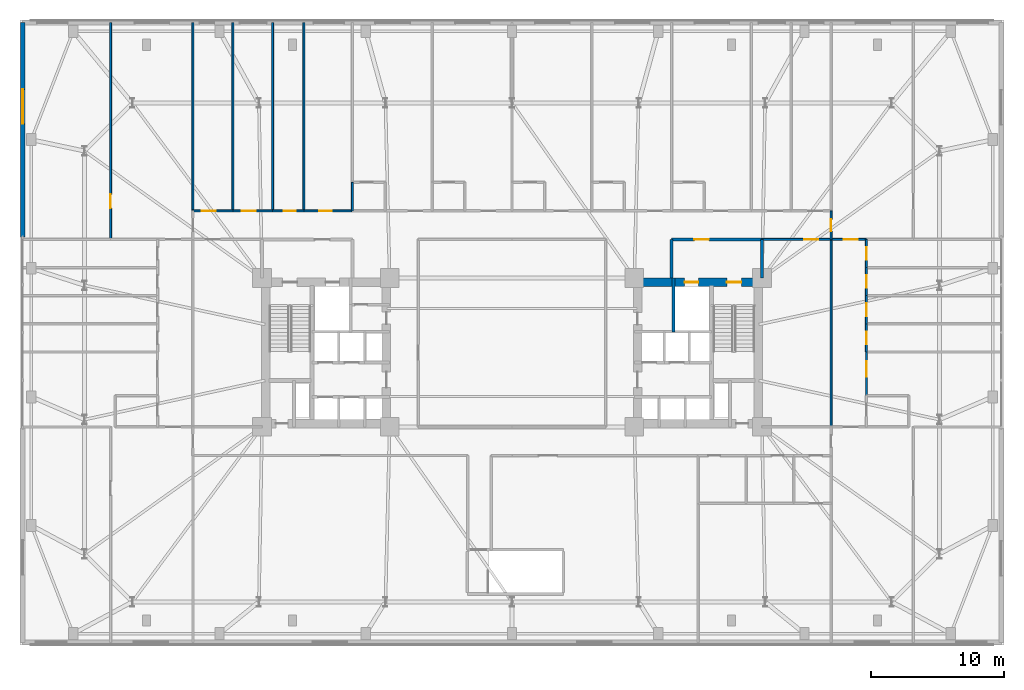
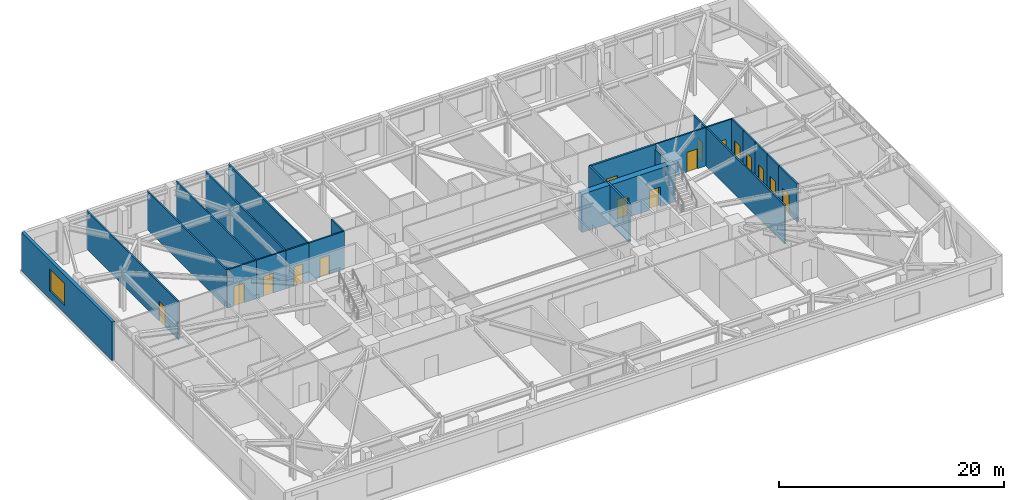
# One storey, part 14 of 21: 25 walls, 16 doors, 1 window, 17 openings.
"""IFC4 building model written with IfcOpenShell, lengths in metres."""

from ifc_helpers import new_model, si_unit, direction, frame, frame_2d, origin, place, context, subcontext, project, spatial, rectangle, extrude, material, layer, layer_set, type_object, element, fill, save


model = new_model("IFC4")

# Units and contexts
model_context = context("Model", 3, precision=1e-05, world=origin(), true_north=direction((0.0, 1.0)))
body_context = subcontext(model_context, "Body", "Model", "MODEL_VIEW")
ifc_project = project(units=[si_unit("LENGTHUNIT", "METRE"), si_unit("AREAUNIT", "SQUARE_METRE"), si_unit("VOLUMEUNIT", "CUBIC_METRE"), si_unit("PLANEANGLEUNIT", "RADIAN"), si_unit("MASSUNIT", "GRAM", prefix="KILO")], contexts=[model_context])

# Site, building, storey
site_placement = place(None, origin())
site = spatial("IfcSite", under=ifc_project, at=site_placement, CompositionType="ELEMENT")
building_placement = place(site_placement, origin())
building = spatial("IfcBuilding", under=site, at=building_placement, Name="Qobustan Lattice House", CompositionType="ELEMENT")
storey_placement = place(building_placement, frame((0.0, 0.0, 22.5)))
storey = spatial("IfcBuildingStorey", under=building, at=storey_placement, Name="L05", CompositionType="ELEMENT", Elevation=22.5)

# Wall, openings, doors
ifc_material_1 = material(Name="Concrete C60/75", Category="concrete")
ifc_layer_1 = layer(ifc_material_1, 0.639892578125)
ifc_layer_set_1 = layer_set([ifc_layer_1], Name="Concrete C60/75")
wall_type_1 = type_object("IfcWallType", Name="WAL-CORE-640", PredefinedType="SHEAR", material=ifc_layer_set_1)
wall_1_placement = place(storey_placement, frame((9.199951171875, 5.280029296875, 0.0), z_axis=(0.0, 0.0, 1.0), x_axis=(1.0, 0.0, 0.0)))
wall_1 = element("IfcWall", 1, at=wall_1_placement, inside=storey, type_object=wall_type_1, Name="L05 split-core shear wall CE-N", PredefinedType="SHEAR", context=body_context, shape_type="SweptSolid", body=[
    extrude(rectangle(XDim=9.60009765625, YDim=0.639892578125, at=frame_2d((4.800048828125, 0.0))), origin(), (0.0, 0.0, 1.0), 4.159912109375),
])
opening_1_placement = place(wall_1_placement, frame((6.949951171875, 0.0, 0.0)))
opening_1 = element("IfcOpeningElement", 2, at=opening_1_placement, cuts=wall_1, Name="Opening SD-01", PredefinedType="OPENING", context=body_context, shape_type="SweptSolid", body=[
    extrude(rectangle(XDim=1.10009765625, YDim=2.14990234375, at=frame_2d((0.550048828125, 1.074951171875))), frame((0.0, 0.329833984375, 0.0), z_axis=(0.0, -1.0, 0.0), x_axis=(1.0, 0.0, 0.0)), (0.0, 0.0, 1.0), 0.659912109375),
])
opening_2_placement = place(wall_1_placement, frame((3.77490234375, 0.0, 0.0)))
opening_2 = element("IfcOpeningElement", 3, at=opening_2_placement, cuts=wall_1, Name="Opening LD-01", PredefinedType="OPENING", context=body_context, shape_type="SweptSolid", body=[
    extrude(rectangle(XDim=1.050048828125, YDim=2.10009765625, at=frame_2d((0.52490234375, 1.050048828125))), frame((0.0, 0.329833984375, 0.0), z_axis=(0.0, -1.0, 0.0), x_axis=(1.0, 0.0, 0.0)), (0.0, 0.0, 1.0), 0.659912109375),
])
ifc_material_2 = material(Name="Persian walnut timber and steel frame door", Category="steel")
door_type_1 = type_object("IfcDoorType", Name="DOR-LIFT-LD-1050x2100", OperationType="NOTDEFINED", PredefinedType="DOOR", material=ifc_material_2)
door_1_placement = place(opening_2_placement, origin())
door_1 = element("IfcDoor", 4, at=door_1_placement, inside=storey, type_object=door_type_1, Name="L05 firefighting lift FF-E landing door", OperationType="DOUBLE_DOOR_SLIDING", OverallHeight=2.10009765625, OverallWidth=1.050048828125, PredefinedType="DOOR", context=body_context, shape_type="SweptSolid", body=[
    extrude(rectangle(XDim=1.050048828125, YDim=2.10009765625, at=frame_2d((0.52490234375, 1.050048828125))), frame((0.0, 0.02490234375, 0.0), z_axis=(0.0, -1.0, 0.0), x_axis=(1.0, 0.0, 0.0)), (0.0, 0.0, 1.0), 0.050048828125),
])
fill(opening_2, door_1)
ifc_material_3 = material(Name="Persian walnut timber and steel frame door", Category="steel")
door_type_2 = type_object("IfcDoorType", Name="DOR-STAIR-FD-1100x2150", OperationType="NOTDEFINED", PredefinedType="DOOR", material=ifc_material_3)
door_2_placement = place(opening_1_placement, origin())
door_2 = element("IfcDoor", 5, at=door_2_placement, inside=storey, type_object=door_type_2, Name="L05 exit stair ST-E1 fire door", OperationType="SINGLE_SWING_RIGHT", OverallHeight=2.14990234375, OverallWidth=1.10009765625, PredefinedType="DOOR", context=body_context, shape_type="SweptSolid", body=[
    extrude(rectangle(XDim=1.10009765625, YDim=2.14990234375, at=frame_2d((0.550048828125, 1.074951171875))), frame((0.0, 0.02490234375, 0.0), z_axis=(0.0, -1.0, 0.0), x_axis=(1.0, 0.0, 0.0)), (0.0, 0.0, 1.0), 0.050048828125),
])
fill(opening_1, door_2)

# Wall, opening, window
ifc_material_4 = material(Name="Precast concrete C40/50", Category="concrete")
ifc_layer_2 = layer(ifc_material_4, 0.320068359375)
ifc_layer_set_2 = layer_set([ifc_layer_2], Name="Precast concrete C40/50")
wall_type_2 = type_object("IfcWallType", Name="WAL-EXT-STONE-320", PredefinedType="SOLIDWALL", material=ifc_layer_set_2)
wall_2_placement = place(storey_placement, frame((-36.800048828125, 8.699951171875, 0.0), z_axis=(0.0, 0.0, 1.0), x_axis=(0.0, 1.0, 0.0)))
wall_2 = element("IfcWall", 6, at=wall_2_placement, inside=storey, type_object=wall_type_2, Name="L05 podium stone wall 1B", PredefinedType="SOLIDWALL", context=body_context, shape_type="SweptSolid", body=[
    extrude(rectangle(XDim=16.10009765625, YDim=0.320068359375, at=frame_2d((8.050048828125, 0.0))), origin(), (0.0, 0.0, 1.0), 4.159912109375),
])
opening_3_placement = place(wall_2_placement, frame((8.484619140625, 0.0, 0.85009765625)))
opening_3 = element("IfcOpeningElement", 7, at=opening_3_placement, cuts=wall_2, Name="Opening WN-06", PredefinedType="OPENING", context=body_context, shape_type="SweptSolid", body=[
    extrude(rectangle(XDim=2.60009765625, YDim=2.39990234375, at=frame_2d((1.300048828125, 1.199951171875))), frame((0.0, 0.169921875, 0.0), z_axis=(0.0, -1.0, 0.0), x_axis=(1.0, 0.0, 0.0)), (0.0, 0.0, 1.0), 0.340087890625),
])
ifc_material_5 = material(Name="Double-glazed low-E aluminium window", Category="aluminium")
window_type = type_object("IfcWindowType", Name="WIN-POD-2600x2400", PartitioningType="SINGLE_PANEL", PredefinedType="WINDOW", material=ifc_material_5)
window_placement = place(opening_3_placement, origin())
window = element("IfcWindow", 8, at=window_placement, inside=storey, type_object=window_type, Name="L05 Collaborative study room L05WN window", OverallHeight=2.39990234375, OverallWidth=2.60009765625, PartitioningType="SINGLE_PANEL", PredefinedType="WINDOW", context=body_context, shape_type="SweptSolid", body=[
    extrude(rectangle(XDim=2.60009765625, YDim=2.39990234375, at=frame_2d((1.300048828125, 1.199951171875))), frame((0.0, 0.030029296875, 0.0), z_axis=(0.0, -1.0, 0.0), x_axis=(1.0, 0.0, 0.0)), (0.0, 0.0, 1.0), 0.06005859375),
])
fill(opening_3, window)

# Wall, opening, door
ifc_material_6 = material(Name="Acoustic twin-stud gypsum partition", Category="gypsum")
ifc_layer_3 = layer(ifc_material_6, 0.14990234375)
ifc_layer_set_3 = layer_set([ifc_layer_3], Name="Acoustic twin-stud gypsum partition")
wall_type_3 = type_object("IfcWallType", Name="WAL-PART-150", PredefinedType="PARTITIONING", material=ifc_layer_set_3)
wall_3_placement = place(storey_placement, frame((-24.0, 10.64990234375, 0.0), z_axis=(0.0, 0.0, 1.0), x_axis=(1.0, 0.0, 0.0)))
wall_3 = element("IfcWall", 9, at=wall_3_placement, inside=storey, type_object=wall_type_3, Name="L05 interior partition 39", PredefinedType="PARTITIONING", context=body_context, shape_type="SweptSolid", body=[
    extrude(rectangle(XDim=3.0, YDim=0.14990234375, at=frame_2d((1.5, 0.0))), origin(), (0.0, 0.0, 1.0), 4.159912109375),
])
opening_4_placement = place(wall_3_placement, frame((0.6787109375, 0.0, 0.0)))
opening_4 = element("IfcOpeningElement", 10, at=opening_4_placement, cuts=wall_3, Name="Opening ID-02", PredefinedType="OPENING", context=body_context, shape_type="SweptSolid", body=[
    extrude(rectangle(XDim=1.050048828125, YDim=2.14990234375, at=frame_2d((0.52490234375, 1.074951171875))), frame((0.0, 0.0849609375, 0.0), z_axis=(0.0, -1.0, 0.0), x_axis=(1.0, 0.0, 0.0)), (0.0, 0.0, 1.0), 0.169921875),
])
ifc_material_7 = material(Name="Persian walnut timber and steel frame door", Category="steel")
door_type_3 = type_object("IfcDoorType", Name="DOR-STUDY-1050x2150", OperationType="NOTDEFINED", PredefinedType="DOOR", material=ifc_material_7)
door_3_placement = place(opening_4_placement, origin())
door_3 = element("IfcDoor", 11, at=door_3_placement, inside=storey, type_object=door_type_3, Name="L05 North-west podium corridor to Focus study room N1A door", OperationType="SINGLE_SWING_LEFT", OverallHeight=2.14990234375, OverallWidth=1.050048828125, PredefinedType="DOOR", context=body_context, shape_type="SweptSolid", body=[
    extrude(rectangle(XDim=1.050048828125, YDim=2.14990234375, at=frame_2d((0.52490234375, 1.074951171875))), frame((0.0, 0.02490234375, 0.0), z_axis=(0.0, -1.0, 0.0), x_axis=(1.0, 0.0, 0.0)), (0.0, 0.0, 1.0), 0.050048828125),
])
fill(opening_4, door_3)

wall_4_placement = place(storey_placement, frame((-21.0, 10.64990234375, 0.0), z_axis=(0.0, 0.0, 1.0), x_axis=(1.0, 0.0, 0.0)))
wall_4 = element("IfcWall", 12, at=wall_4_placement, inside=storey, type_object=wall_type_3, Name="L05 interior partition 40", PredefinedType="PARTITIONING", context=body_context, shape_type="SweptSolid", body=[
    extrude(rectangle(XDim=3.0, YDim=0.14990234375, at=frame_2d((1.5, 0.0))), origin(), (0.0, 0.0, 1.0), 4.159912109375),
])
opening_5_placement = place(wall_4_placement, frame((0.6787109375, 0.0, 0.0)))
opening_5 = element("IfcOpeningElement", 13, at=opening_5_placement, cuts=wall_4, Name="Opening ID-02", PredefinedType="OPENING", context=body_context, shape_type="SweptSolid", body=[
    extrude(rectangle(XDim=1.050048828125, YDim=2.14990234375, at=frame_2d((0.52490234375, 1.074951171875))), frame((0.0, 0.0849609375, 0.0), z_axis=(0.0, -1.0, 0.0), x_axis=(1.0, 0.0, 0.0)), (0.0, 0.0, 1.0), 0.169921875),
])
door_4_placement = place(opening_5_placement, origin())
door_4 = element("IfcDoor", 14, at=door_4_placement, inside=storey, type_object=door_type_3, Name="L05 North-west podium corridor to Focus study room N1B door", OperationType="SINGLE_SWING_RIGHT", OverallHeight=2.14990234375, OverallWidth=1.050048828125, PredefinedType="DOOR", context=body_context, shape_type="SweptSolid", body=[
    extrude(rectangle(XDim=1.050048828125, YDim=2.14990234375, at=frame_2d((0.52490234375, 1.074951171875))), frame((0.0, 0.02490234375, 0.0), z_axis=(0.0, -1.0, 0.0), x_axis=(1.0, 0.0, 0.0)), (0.0, 0.0, 1.0), 0.050048828125),
])
fill(opening_5, door_4)

wall_5_placement = place(storey_placement, frame((-15.64990234375, 10.64990234375, 0.0), z_axis=(0.0, 0.0, 1.0), x_axis=(1.0, 0.0, 0.0)))
wall_5 = element("IfcWall", 15, at=wall_5_placement, inside=storey, type_object=wall_type_3, Name="L05 interior partition 42", PredefinedType="PARTITIONING", context=body_context, shape_type="SweptSolid", body=[
    extrude(rectangle(XDim=3.64990234375, YDim=0.14990234375, at=frame_2d((1.824951171875, 0.0))), origin(), (0.0, 0.0, 1.0), 4.159912109375),
])
opening_6_placement = place(wall_5_placement, frame((1.157470703125, 0.0, 0.0)))
opening_6 = element("IfcOpeningElement", 16, at=opening_6_placement, cuts=wall_5, Name="Opening ID-01", PredefinedType="OPENING", context=body_context, shape_type="SweptSolid", body=[
    extrude(rectangle(XDim=0.949951171875, YDim=2.10009765625, at=frame_2d((0.47509765625, 1.050048828125))), frame((0.0, 0.0849609375, 0.0), z_axis=(0.0, -1.0, 0.0), x_axis=(1.0, 0.0, 0.0)), (0.0, 0.0, 1.0), 0.169921875),
])
ifc_material_8 = material(Name="Persian walnut timber and steel frame door", Category="steel")
door_type_4 = type_object("IfcDoorType", Name="DOR-ROOM-950x2100", OperationType="NOTDEFINED", PredefinedType="DOOR", material=ifc_material_8)
door_5_placement = place(opening_6_placement, origin())
door_5 = element("IfcDoor", 17, at=door_5_placement, inside=storey, type_object=door_type_4, Name="L05 North-west podium corridor to Laundry utility room door", OperationType="SINGLE_SWING_RIGHT", OverallHeight=2.10009765625, OverallWidth=0.949951171875, PredefinedType="DOOR", context=body_context, shape_type="SweptSolid", body=[
    extrude(rectangle(XDim=0.949951171875, YDim=2.10009765625, at=frame_2d((0.47509765625, 1.050048828125))), frame((0.0, 0.02490234375, 0.0), z_axis=(0.0, -1.0, 0.0), x_axis=(1.0, 0.0, 0.0)), (0.0, 0.0, 1.0), 0.050048828125),
])
fill(opening_6, door_5)

wall_6_placement = place(storey_placement, frame((24.0, 10.64990234375, 0.0), z_axis=(0.0, 0.0, 1.0), x_axis=(0.0, -1.0, 0.0)))
wall_6 = element("IfcWall", 18, at=wall_6_placement, inside=storey, type_object=wall_type_3, Name="L05 interior partition 48", PredefinedType="PARTITIONING", context=body_context, shape_type="SweptSolid", body=[
    extrude(rectangle(XDim=2.14990234375, YDim=0.14990234375, at=frame_2d((1.074951171875, 0.0))), origin(), (0.0, 0.0, 1.0), 4.159912109375),
])
opening_7_placement = place(wall_6_placement, frame((0.625, 0.0, 0.0)))
opening_7 = element("IfcOpeningElement", 19, at=opening_7_placement, cuts=wall_6, Name="Opening WD-01", PredefinedType="OPENING", context=body_context, shape_type="SweptSolid", body=[
    extrude(rectangle(XDim=0.89990234375, YDim=2.10009765625, at=frame_2d((0.449951171875, 1.050048828125))), frame((0.0, 0.0849609375, 0.0), z_axis=(0.0, -1.0, 0.0), x_axis=(1.0, 0.0, 0.0)), (0.0, 0.0, 1.0), 0.169921875),
])
ifc_material_9 = material(Name="Persian walnut timber and steel frame door", Category="steel")
door_type_5 = type_object("IfcDoorType", Name="DOR-WET-900x2100", OperationType="NOTDEFINED", PredefinedType="DOOR", material=ifc_material_9)
door_6_placement = place(opening_7_placement, origin())
door_6 = element("IfcDoor", 20, at=door_6_placement, inside=storey, type_object=door_type_5, Name="L05 North-east podium corridor to Reading seminar room L05EN door", OperationType="SINGLE_SWING_LEFT", OverallHeight=2.10009765625, OverallWidth=0.89990234375, PredefinedType="DOOR", context=body_context, shape_type="SweptSolid", body=[
    extrude(rectangle(XDim=0.89990234375, YDim=2.10009765625, at=frame_2d((0.449951171875, 1.050048828125))), frame((0.0, 0.02490234375, 0.0), z_axis=(0.0, -1.0, 0.0), x_axis=(1.0, 0.0, 0.0)), (0.0, 0.0, 1.0), 0.050048828125),
])
fill(opening_7, door_6)

wall_7_placement = place(storey_placement, frame((24.0, 8.5, 0.0), z_axis=(0.0, 0.0, 1.0), x_axis=(-1.0, 0.0, 0.0)))
wall_7 = element("IfcWall", 21, at=wall_7_placement, inside=storey, type_object=wall_type_3, Name="L05 interior partition 49", PredefinedType="PARTITIONING", context=body_context, shape_type="SweptSolid", body=[
    extrude(rectangle(XDim=5.199951171875, YDim=0.14990234375, at=frame_2d((2.60009765625, 0.0))), origin(), (0.0, 0.0, 1.0), 4.159912109375),
])
opening_8_placement = place(wall_7_placement, frame((0.95361328125, 0.0, 0.0)))
opening_8 = element("IfcOpeningElement", 22, at=opening_8_placement, cuts=wall_7, Name="Opening ID-02", PredefinedType="OPENING", context=body_context, shape_type="SweptSolid", body=[
    extrude(rectangle(XDim=1.050048828125, YDim=2.14990234375, at=frame_2d((0.52490234375, 1.074951171875))), frame((0.0, 0.0849609375, 0.0), z_axis=(0.0, -1.0, 0.0), x_axis=(1.0, 0.0, 0.0)), (0.0, 0.0, 1.0), 0.169921875),
])
door_7_placement = place(opening_8_placement, origin())
door_7 = element("IfcDoor", 23, at=door_7_placement, inside=storey, type_object=door_type_3, Name="L05 North-east podium corridor to East study lounge door", OperationType="SINGLE_SWING_RIGHT", OverallHeight=2.14990234375, OverallWidth=1.050048828125, PredefinedType="DOOR", context=body_context, shape_type="SweptSolid", body=[
    extrude(rectangle(XDim=1.050048828125, YDim=2.14990234375, at=frame_2d((0.52490234375, 1.074951171875))), frame((0.0, 0.02490234375, 0.0), z_axis=(0.0, -1.0, 0.0), x_axis=(1.0, 0.0, 0.0)), (0.0, 0.0, 1.0), 0.050048828125),
])
fill(opening_8, door_7)

wall_8_placement = place(storey_placement, frame((-30.18994140625, 8.5, 0.0), z_axis=(0.0, 0.0, 1.0), x_axis=(0.0, 1.0, 0.0)))
wall_8 = element("IfcWall", 24, at=wall_8_placement, inside=storey, type_object=wall_type_3, Name="L05 interior partition 84", PredefinedType="PARTITIONING", context=body_context, shape_type="SweptSolid", body=[
    extrude(rectangle(XDim=16.300048828125, YDim=0.14990234375, at=frame_2d((8.14990234375, 0.0))), origin(), (0.0, 0.0, 1.0), 4.159912109375),
])
opening_9_placement = place(wall_8_placement, frame((2.34130859375, 0.0, 0.0)))
opening_9 = element("IfcOpeningElement", 25, at=opening_9_placement, cuts=wall_8, Name="Opening ID-02", PredefinedType="OPENING", context=body_context, shape_type="SweptSolid", body=[
    extrude(rectangle(XDim=1.050048828125, YDim=2.14990234375, at=frame_2d((0.52490234375, 1.074951171875))), frame((0.0, 0.0849609375, 0.0), z_axis=(0.0, -1.0, 0.0), x_axis=(1.0, 0.0, 0.0)), (0.0, 0.0, 1.0), 0.169921875),
])
door_8_placement = place(opening_9_placement, origin())
door_8 = element("IfcDoor", 26, at=door_8_placement, inside=storey, type_object=door_type_3, Name="L05 Reading seminar room L05WN to Collaborative study room L05WN door", OperationType="SINGLE_SWING_RIGHT", OverallHeight=2.14990234375, OverallWidth=1.050048828125, PredefinedType="DOOR", context=body_context, shape_type="SweptSolid", body=[
    extrude(rectangle(XDim=1.050048828125, YDim=2.14990234375, at=frame_2d((0.52490234375, 1.074951171875))), frame((0.0, 0.02490234375, 0.0), z_axis=(0.0, -1.0, 0.0), x_axis=(1.0, 0.0, 0.0)), (0.0, 0.0, 1.0), 0.050048828125),
])
fill(opening_9, door_8)

# Wall
wall_9_placement = place(storey_placement, frame((-24.0, 24.800048828125, 0.0), z_axis=(0.0, 0.0, 1.0), x_axis=(0.0, -1.0, 0.0)))
element("IfcWall", 27, at=wall_9_placement, inside=storey, type_object=wall_type_3, Name="L05 interior partition 86", PredefinedType="PARTITIONING", context=body_context, shape_type="SweptSolid", body=[
    extrude(rectangle(XDim=14.150146484375, YDim=0.14990234375, at=frame_2d((7.0751953125, 0.0))), origin(), (0.0, 0.0, 1.0), 4.159912109375),
])

# Wall, opening, door
wall_10_placement = place(storey_placement, frame((24.0, 8.5, 0.0), z_axis=(0.0, 0.0, 1.0), x_axis=(1.0, 0.0, 0.0)))
wall_10 = element("IfcWall", 28, at=wall_10_placement, inside=storey, type_object=wall_type_3, Name="L05 interior partition 98", PredefinedType="PARTITIONING", context=body_context, shape_type="SweptSolid", body=[
    extrude(rectangle(XDim=2.64990234375, YDim=0.14990234375, at=frame_2d((1.324951171875, 0.0))), origin(), (0.0, 0.0, 1.0), 4.159912109375),
])
opening_10_placement = place(wall_10_placement, frame((0.965087890625, 0.0, 0.0)))
opening_10 = element("IfcOpeningElement", 29, at=opening_10_placement, cuts=wall_10, Name="Opening ID-02", PredefinedType="OPENING", context=body_context, shape_type="SweptSolid", body=[
    extrude(rectangle(XDim=1.050048828125, YDim=2.14990234375, at=frame_2d((0.52490234375, 1.074951171875))), frame((0.0, 0.0849609375, 0.0), z_axis=(0.0, -1.0, 0.0), x_axis=(1.0, 0.0, 0.0)), (0.0, 0.0, 1.0), 0.169921875),
])
door_9_placement = place(opening_10_placement, origin())
door_9 = element("IfcDoor", 30, at=door_9_placement, inside=storey, type_object=door_type_3, Name="L05 Residence entrance hall L05E to Reading seminar room L05EN door", OperationType="SINGLE_SWING_RIGHT", OverallHeight=2.14990234375, OverallWidth=1.050048828125, PredefinedType="DOOR", context=body_context, shape_type="SweptSolid", body=[
    extrude(rectangle(XDim=1.050048828125, YDim=2.14990234375, at=frame_2d((0.52490234375, 1.074951171875))), frame((0.0, 0.02490234375, 0.0), z_axis=(0.0, -1.0, 0.0), x_axis=(1.0, 0.0, 0.0)), (0.0, 0.0, 1.0), 0.050048828125),
])
fill(opening_10, door_9)

wall_11_placement = place(storey_placement, frame((26.64990234375, 2.155029296875, 0.0), z_axis=(0.0, 0.0, 1.0), x_axis=(0.0, -1.0, 0.0)))
wall_11 = element("IfcWall", 31, at=wall_11_placement, inside=storey, type_object=wall_type_3, Name="L05 interior partition 102", PredefinedType="PARTITIONING", context=body_context, shape_type="SweptSolid", body=[
    extrude(rectangle(XDim=2.114990234375, YDim=0.14990234375, at=frame_2d((1.0576171875, 0.0))), origin(), (0.0, 0.0, 1.0), 4.159912109375),
])
opening_11_placement = place(wall_11_placement, frame((0.58251953125, 0.0, 0.0)))
opening_11 = element("IfcOpeningElement", 32, at=opening_11_placement, cuts=wall_11, Name="Opening ID-01", PredefinedType="OPENING", context=body_context, shape_type="SweptSolid", body=[
    extrude(rectangle(XDim=0.949951171875, YDim=2.10009765625, at=frame_2d((0.47509765625, 1.050048828125))), frame((0.0, 0.0849609375, 0.0), z_axis=(0.0, -1.0, 0.0), x_axis=(1.0, 0.0, 0.0)), (0.0, 0.0, 1.0), 0.169921875),
])
door_10_placement = place(opening_11_placement, origin())
door_10 = element("IfcDoor", 33, at=door_10_placement, inside=storey, type_object=door_type_4, Name="L05 Residence entrance hall L05E to Cluster bedroom L05E1 door", OperationType="SINGLE_SWING_RIGHT", OverallHeight=2.10009765625, OverallWidth=0.949951171875, PredefinedType="DOOR", context=body_context, shape_type="SweptSolid", body=[
    extrude(rectangle(XDim=0.949951171875, YDim=2.10009765625, at=frame_2d((0.47509765625, 1.050048828125))), frame((0.0, 0.02490234375, 0.0), z_axis=(0.0, -1.0, 0.0), x_axis=(1.0, 0.0, 0.0)), (0.0, 0.0, 1.0), 0.050048828125),
])
fill(opening_11, door_10)

wall_12_placement = place(storey_placement, frame((26.64990234375, 4.27001953125, 0.0), z_axis=(0.0, 0.0, 1.0), x_axis=(0.0, -1.0, 0.0)))
wall_12 = element("IfcWall", 34, at=wall_12_placement, inside=storey, type_object=wall_type_3, Name="L05 interior partition 103", PredefinedType="PARTITIONING", context=body_context, shape_type="SweptSolid", body=[
    extrude(rectangle(XDim=2.114990234375, YDim=0.14990234375, at=frame_2d((1.0576171875, 0.0))), origin(), (0.0, 0.0, 1.0), 4.159912109375),
])
opening_12_placement = place(wall_12_placement, frame((0.58251953125, 0.0, 0.0)))
opening_12 = element("IfcOpeningElement", 35, at=opening_12_placement, cuts=wall_12, Name="Opening ID-01", PredefinedType="OPENING", context=body_context, shape_type="SweptSolid", body=[
    extrude(rectangle(XDim=0.949951171875, YDim=2.10009765625, at=frame_2d((0.47509765625, 1.050048828125))), frame((0.0, 0.0849609375, 0.0), z_axis=(0.0, -1.0, 0.0), x_axis=(1.0, 0.0, 0.0)), (0.0, 0.0, 1.0), 0.169921875),
])
door_11_placement = place(opening_12_placement, origin())
door_11 = element("IfcDoor", 36, at=door_11_placement, inside=storey, type_object=door_type_4, Name="L05 Residence entrance hall L05E to Cluster bedroom L05E2 door", OperationType="SINGLE_SWING_LEFT", OverallHeight=2.10009765625, OverallWidth=0.949951171875, PredefinedType="DOOR", context=body_context, shape_type="SweptSolid", body=[
    extrude(rectangle(XDim=0.949951171875, YDim=2.10009765625, at=frame_2d((0.47509765625, 1.050048828125))), frame((0.0, 0.02490234375, 0.0), z_axis=(0.0, -1.0, 0.0), x_axis=(1.0, 0.0, 0.0)), (0.0, 0.0, 1.0), 0.050048828125),
])
fill(opening_12, door_11)

wall_13_placement = place(storey_placement, frame((26.64990234375, 6.385009765625, 0.0), z_axis=(0.0, 0.0, 1.0), x_axis=(0.0, -1.0, 0.0)))
wall_13 = element("IfcWall", 37, at=wall_13_placement, inside=storey, type_object=wall_type_3, Name="L05 interior partition 104", PredefinedType="PARTITIONING", context=body_context, shape_type="SweptSolid", body=[
    extrude(rectangle(XDim=2.114990234375, YDim=0.14990234375, at=frame_2d((1.0576171875, 0.0))), origin(), (0.0, 0.0, 1.0), 4.159912109375),
])
opening_13_placement = place(wall_13_placement, frame((0.58251953125, 0.0, 0.0)))
opening_13 = element("IfcOpeningElement", 38, at=opening_13_placement, cuts=wall_13, Name="Opening ID-01", PredefinedType="OPENING", context=body_context, shape_type="SweptSolid", body=[
    extrude(rectangle(XDim=0.949951171875, YDim=2.10009765625, at=frame_2d((0.47509765625, 1.050048828125))), frame((0.0, 0.0849609375, 0.0), z_axis=(0.0, -1.0, 0.0), x_axis=(1.0, 0.0, 0.0)), (0.0, 0.0, 1.0), 0.169921875),
])
door_12_placement = place(opening_13_placement, origin())
door_12 = element("IfcDoor", 39, at=door_12_placement, inside=storey, type_object=door_type_4, Name="L05 Residence entrance hall L05E to Cluster bedroom L05E3 door", OperationType="SINGLE_SWING_RIGHT", OverallHeight=2.10009765625, OverallWidth=0.949951171875, PredefinedType="DOOR", context=body_context, shape_type="SweptSolid", body=[
    extrude(rectangle(XDim=0.949951171875, YDim=2.10009765625, at=frame_2d((0.47509765625, 1.050048828125))), frame((0.0, 0.02490234375, 0.0), z_axis=(0.0, -1.0, 0.0), x_axis=(1.0, 0.0, 0.0)), (0.0, 0.0, 1.0), 0.050048828125),
])
fill(opening_13, door_12)

wall_14_placement = place(storey_placement, frame((26.64990234375, 8.5, 0.0), z_axis=(0.0, 0.0, 1.0), x_axis=(0.0, -1.0, 0.0)))
wall_14 = element("IfcWall", 40, at=wall_14_placement, inside=storey, type_object=wall_type_3, Name="L05 interior partition 105", PredefinedType="PARTITIONING", context=body_context, shape_type="SweptSolid", body=[
    extrude(rectangle(XDim=2.114990234375, YDim=0.14990234375, at=frame_2d((1.0576171875, 0.0))), origin(), (0.0, 0.0, 1.0), 4.159912109375),
])
opening_14_placement = place(wall_14_placement, frame((0.58251953125, 0.0, 0.0)))
opening_14 = element("IfcOpeningElement", 41, at=opening_14_placement, cuts=wall_14, Name="Opening ID-01", PredefinedType="OPENING", context=body_context, shape_type="SweptSolid", body=[
    extrude(rectangle(XDim=0.949951171875, YDim=2.10009765625, at=frame_2d((0.47509765625, 1.050048828125))), frame((0.0, 0.0849609375, 0.0), z_axis=(0.0, -1.0, 0.0), x_axis=(1.0, 0.0, 0.0)), (0.0, 0.0, 1.0), 0.169921875),
])
door_13_placement = place(opening_14_placement, origin())
door_13 = element("IfcDoor", 42, at=door_13_placement, inside=storey, type_object=door_type_4, Name="L05 Residence entrance hall L05E to Cluster bedroom L05E4 door", OperationType="SINGLE_SWING_LEFT", OverallHeight=2.10009765625, OverallWidth=0.949951171875, PredefinedType="DOOR", context=body_context, shape_type="SweptSolid", body=[
    extrude(rectangle(XDim=0.949951171875, YDim=2.10009765625, at=frame_2d((0.47509765625, 1.050048828125))), frame((0.0, 0.02490234375, 0.0), z_axis=(0.0, -1.0, 0.0), x_axis=(1.0, 0.0, 0.0)), (0.0, 0.0, 1.0), 0.050048828125),
])
fill(opening_14, door_13)

# Walls
wall_15_placement = place(storey_placement, frame((24.0, -5.60009765625, 0.0), z_axis=(0.0, 0.0, 1.0), x_axis=(0.0, 1.0, 0.0)))
element("IfcWall", 43, at=wall_15_placement, inside=storey, type_object=wall_type_3, Name="L05 interior partition 106", PredefinedType="PARTITIONING", context=body_context, shape_type="SweptSolid", body=[
    extrude(rectangle(XDim=14.10009765625, YDim=0.14990234375, at=frame_2d((7.050048828125, 0.0))), origin(), (0.0, 0.0, 1.0), 4.159912109375),
])
wall_16_placement = place(storey_placement, frame((-21.0, 24.800048828125, 0.0), z_axis=(0.0, 0.0, 1.0), x_axis=(0.0, -1.0, 0.0)))
element("IfcWall", 44, at=wall_16_placement, inside=storey, type_object=wall_type_3, Name="L05 interior partition 122", PredefinedType="PARTITIONING", context=body_context, shape_type="SweptSolid", body=[
    extrude(rectangle(XDim=14.150146484375, YDim=0.14990234375, at=frame_2d((7.0751953125, 0.0))), origin(), (0.0, 0.0, 1.0), 4.159912109375),
])

# Wall, opening, door
ifc_material_10 = material(Name="High-mass acoustic twin-stud partition", Category="gypsum")
ifc_layer_4 = layer(ifc_material_10, 0.1650390625)
ifc_layer_set_4 = layer_set([ifc_layer_4], Name="High-mass acoustic twin-stud partition")
wall_type_4 = type_object("IfcWallType", Name="WAL-PART-165", PredefinedType="PARTITIONING", material=ifc_layer_set_4)
wall_17_placement = place(storey_placement, frame((26.64990234375, 0.0400390625, 0.0), z_axis=(0.0, 0.0, 1.0), x_axis=(0.0, -1.0, 0.0)))
wall_17 = element("IfcWall", 45, at=wall_17_placement, inside=storey, type_object=wall_type_4, Name="L05 interior partition 101", PredefinedType="PARTITIONING", context=body_context, shape_type="SweptSolid", body=[
    extrude(rectangle(XDim=3.2900390625, YDim=0.1650390625, at=frame_2d((1.64501953125, 0.0))), origin(), (0.0, 0.0, 1.0), 4.159912109375),
])
opening_15_placement = place(wall_17_placement, frame((0.702392578125, 0.0, 0.0)))
opening_15 = element("IfcOpeningElement", 46, at=opening_15_placement, cuts=wall_17, Name="Opening ID-03", PredefinedType="OPENING", context=body_context, shape_type="SweptSolid", body=[
    extrude(rectangle(XDim=1.14990234375, YDim=2.14990234375, at=frame_2d((0.574951171875, 1.074951171875))), frame((0.0, 0.092529296875, 0.0), z_axis=(0.0, -1.0, 0.0), x_axis=(1.0, 0.0, 0.0)), (0.0, 0.0, 1.0), 0.18505859375),
])
ifc_material_11 = material(Name="Persian walnut timber and steel frame door", Category="steel")
door_type_6 = type_object("IfcDoorType", Name="DOR-KITCH-1150x2150", OperationType="NOTDEFINED", PredefinedType="DOOR", material=ifc_material_11)
door_14_placement = place(opening_15_placement, origin())
door_14 = element("IfcDoor", 47, at=door_14_placement, inside=storey, type_object=door_type_6, Name="L05 Residence entrance hall L05E to Shared kitchen L05E door", OperationType="SINGLE_SWING_LEFT", OverallHeight=2.14990234375, OverallWidth=1.14990234375, PredefinedType="DOOR", context=body_context, shape_type="SweptSolid", body=[
    extrude(rectangle(XDim=1.14990234375, YDim=2.14990234375, at=frame_2d((0.574951171875, 1.074951171875))), frame((0.0, 0.02490234375, 0.0), z_axis=(0.0, -1.0, 0.0), x_axis=(1.0, 0.0, 0.0)), (0.0, 0.0, 1.0), 0.050048828125),
])
fill(opening_15, door_14)

ifc_material_12 = material(Name="Two-hour gypsum fireboard acoustic partition", Category="gypsum")
ifc_layer_5 = layer(ifc_material_12, 0.199951171875)
ifc_layer_set_5 = layer_set([ifc_layer_5], Name="Two-hour gypsum fireboard acoustic partition")
wall_type_5 = type_object("IfcWallType", Name="WAL-PROT-200", PredefinedType="PARTITIONING", material=ifc_layer_set_5)
wall_18_placement = place(storey_placement, frame((18.800048828125, 8.5, 0.0), z_axis=(0.0, 0.0, 1.0), x_axis=(-1.0, 0.0, 0.0)))
wall_18 = element("IfcWall", 48, at=wall_18_placement, inside=storey, type_object=wall_type_5, Name="L05 interior partition 22", PredefinedType="PARTITIONING", context=body_context, shape_type="SweptSolid", body=[
    extrude(rectangle(XDim=6.800048828125, YDim=0.199951171875, at=frame_2d((3.39990234375, 0.0))), origin(), (0.0, 0.0, 1.0), 4.159912109375),
])
opening_16_placement = place(wall_18_placement, frame((3.985107421875, 0.0, 0.0)))
opening_16 = element("IfcOpeningElement", 49, at=opening_16_placement, cuts=wall_18, Name="Opening SD-01", PredefinedType="OPENING", context=body_context, shape_type="SweptSolid", body=[
    extrude(rectangle(XDim=1.10009765625, YDim=2.14990234375, at=frame_2d((0.550048828125, 1.074951171875))), frame((0.0, 0.10986328125, 0.0), z_axis=(0.0, -1.0, 0.0), x_axis=(1.0, 0.0, 0.0)), (0.0, 0.0, 1.0), 0.219970703125),
])
door_15_placement = place(opening_16_placement, origin())
door_15 = element("IfcDoor", 50, at=door_15_placement, inside=storey, type_object=door_type_2, Name="L05 East firefighting lift lobby to North-east podium corridor door", OperationType="SINGLE_SWING_RIGHT", OverallHeight=2.14990234375, OverallWidth=1.10009765625, PredefinedType="DOOR", context=body_context, shape_type="SweptSolid", body=[
    extrude(rectangle(XDim=1.10009765625, YDim=2.14990234375, at=frame_2d((0.550048828125, 1.074951171875))), frame((0.0, 0.02490234375, 0.0), z_axis=(0.0, -1.0, 0.0), x_axis=(1.0, 0.0, 0.0)), (0.0, 0.0, 1.0), 0.050048828125),
])
fill(opening_16, door_15)

# Walls
wall_19_placement = place(storey_placement, frame((12.0, 8.5, 0.0), z_axis=(0.0, 0.0, 1.0), x_axis=(0.0, -1.0, 0.0)))
element("IfcWall", 51, at=wall_19_placement, inside=storey, type_object=wall_type_5, Name="L05 interior partition 23", PredefinedType="PARTITIONING", context=body_context, shape_type="SweptSolid", body=[
    extrude(rectangle(XDim=2.89990234375, YDim=0.199951171875, at=frame_2d((1.449951171875, 0.0))), origin(), (0.0, 0.0, 1.0), 4.159912109375),
])
wall_20_placement = place(storey_placement, frame((18.800048828125, 5.60009765625, 0.0), z_axis=(0.0, 0.0, 1.0), x_axis=(0.0, 1.0, 0.0)))
element("IfcWall", 52, at=wall_20_placement, inside=storey, type_object=wall_type_5, Name="L05 interior partition 24", PredefinedType="PARTITIONING", context=body_context, shape_type="SweptSolid", body=[
    extrude(rectangle(XDim=2.89990234375, YDim=0.199951171875, at=frame_2d((1.449951171875, 0.0))), origin(), (0.0, 0.0, 1.0), 3.64501953125),
])
ifc_material_13 = material(Name="Concrete C40/50", Category="concrete")
ifc_layer_6 = layer(ifc_material_13, 0.199951171875)
ifc_layer_set_6 = layer_set([ifc_layer_6], Name="Concrete C40/50")
wall_type_6 = type_object("IfcWallType", Name="WAL-SHAFT-200", PredefinedType="PARTITIONING", material=ifc_layer_set_6)
wall_21_placement = place(storey_placement, frame((12.14990234375, 5.60009765625, 0.0), z_axis=(0.0, 0.0, 1.0), x_axis=(0.0, -1.0, 0.0)))
element("IfcWall", 53, at=wall_21_placement, inside=storey, type_object=wall_type_6, Name="L05 interior partition 21", PredefinedType="PARTITIONING", context=body_context, shape_type="SweptSolid", body=[
    extrude(rectangle(XDim=4.050048828125, YDim=0.199951171875, at=frame_2d((2.02490234375, 0.0))), origin(), (0.0, 0.0, 1.0), 4.159912109375),
])

# Wall, opening, door
ifc_material_14 = material(Name="Moisture-resistant acoustic plumbing wall", Category="gypsum")
ifc_layer_7 = layer(ifc_material_14, 0.14990234375)
ifc_layer_set_7 = layer_set([ifc_layer_7], Name="Moisture-resistant acoustic plumbing wall")
wall_type_7 = type_object("IfcWallType", Name="WAL-WET-150", PredefinedType="PLUMBINGWALL", material=ifc_layer_set_7)
wall_22_placement = place(storey_placement, frame((-18.0, 10.64990234375, 0.0), z_axis=(0.0, 0.0, 1.0), x_axis=(1.0, 0.0, 0.0)))
wall_22 = element("IfcWall", 54, at=wall_22_placement, inside=storey, type_object=wall_type_7, Name="L05 interior partition 41", PredefinedType="PLUMBINGWALL", context=body_context, shape_type="SweptSolid", body=[
    extrude(rectangle(XDim=2.35009765625, YDim=0.14990234375, at=frame_2d((1.175048828125, 0.0))), origin(), (0.0, 0.0, 1.0), 4.159912109375),
])
opening_17_placement = place(wall_22_placement, frame((0.833740234375, 0.0, 0.0)))
opening_17 = element("IfcOpeningElement", 55, at=opening_17_placement, cuts=wall_22, Name="Opening WD-01", PredefinedType="OPENING", context=body_context, shape_type="SweptSolid", body=[
    extrude(rectangle(XDim=0.89990234375, YDim=2.10009765625, at=frame_2d((0.449951171875, 1.050048828125))), frame((0.0, 0.0849609375, 0.0), z_axis=(0.0, -1.0, 0.0), x_axis=(1.0, 0.0, 0.0)), (0.0, 0.0, 1.0), 0.169921875),
])
door_16_placement = place(opening_17_placement, origin())
door_16 = element("IfcDoor", 56, at=door_16_placement, inside=storey, type_object=door_type_5, Name="L05 North-west podium corridor to Accessible WC door", OperationType="SINGLE_SWING_LEFT", OverallHeight=2.10009765625, OverallWidth=0.89990234375, PredefinedType="DOOR", context=body_context, shape_type="SweptSolid", body=[
    extrude(rectangle(XDim=0.89990234375, YDim=2.10009765625, at=frame_2d((0.449951171875, 1.050048828125))), frame((0.0, 0.02490234375, 0.0), z_axis=(0.0, -1.0, 0.0), x_axis=(1.0, 0.0, 0.0)), (0.0, 0.0, 1.0), 0.050048828125),
])
fill(opening_17, door_16)

# Walls
for number, where, z_axis, x_axis, name in (
    (57, (-18.0, 24.800048828125, 0.0), (0.0, 0.0, 1.0), (0.0, -1.0, 0.0), "L05 interior partition 123"),
    (58, (-15.64990234375, 24.800048828125, 0.0), (0.0, 0.0, 1.0), (0.0, -1.0, 0.0), "L05 interior partition 124"),
):
    element("IfcWall", number, at=place(storey_placement, frame(where, z_axis=z_axis, x_axis=x_axis)), inside=storey, type_object=wall_type_7, Name=name, PredefinedType="PLUMBINGWALL", context=body_context, shape_type="SweptSolid", body=[
        extrude(rectangle(XDim=14.150146484375, YDim=0.14990234375, at=frame_2d((7.0751953125, 0.0))), origin(), (0.0, 0.0, 1.0), 4.159912109375),
    ])
wall_23_placement = place(storey_placement, frame((-12.0, 12.800048828125, 0.0), z_axis=(0.0, 0.0, 1.0), x_axis=(0.0, -1.0, 0.0)))
element("IfcWall", 59, at=wall_23_placement, inside=storey, type_object=wall_type_7, Name="L05 interior partition 126", PredefinedType="PLUMBINGWALL", context=body_context, shape_type="SweptSolid", body=[
    extrude(rectangle(XDim=2.150146484375, YDim=0.14990234375, at=frame_2d((1.0751953125, 0.0))), origin(), (0.0, 0.0, 1.0), 4.159912109375),
])

save(model, "model.ifc")
